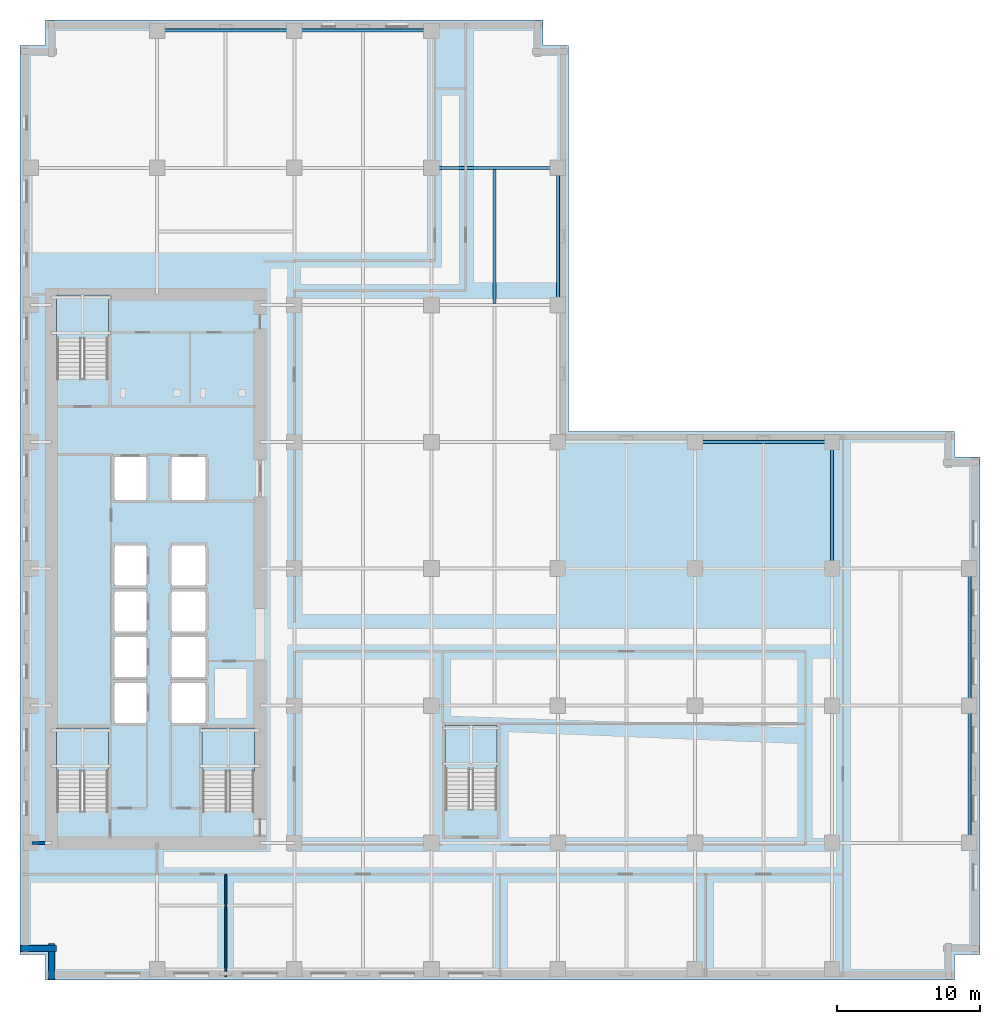
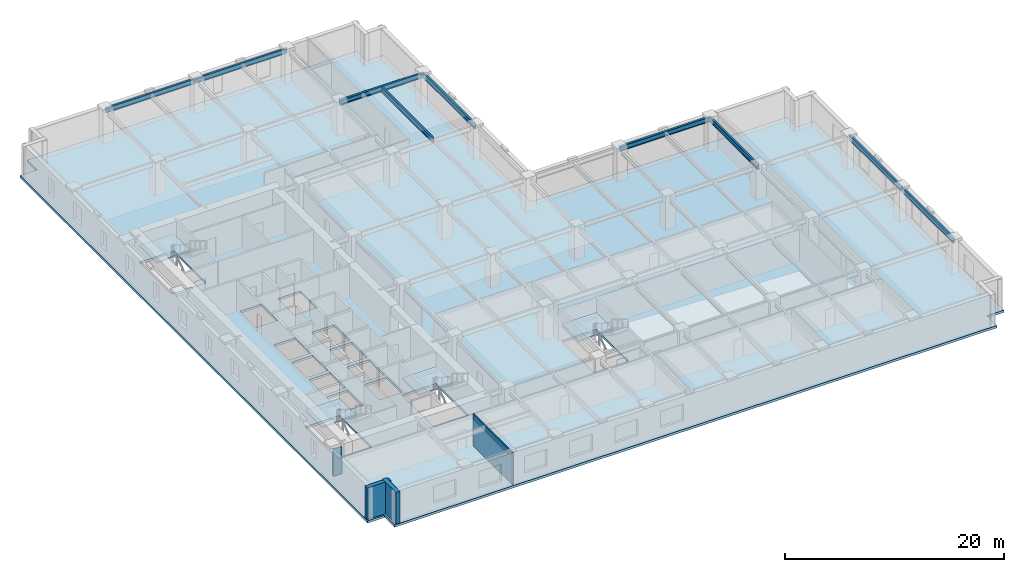
# One storey, part 3 of 13: 9 beams, 5 slabs, 4 walls, 4 elements without a shape of their own.
"""IFC4 building model written with IfcOpenShell, lengths in metres."""

from ifc_helpers import new_model, si_unit, direction, frame, frame_2d, origin, origin_2d, place, context, subcontext, project, spatial, polyline, rectangle, i_section, outline, extrude, material, layer, layer_set, material_profile, profile_set, type_object, element, aggregate, save


model = new_model("IFC4")

# Units and contexts
model_context = context("Model", 3, precision=1e-05, world=origin(), true_north=direction((0.0, 1.0)))
body_context = subcontext(model_context, "Body", "Model", "MODEL_VIEW")
ifc_project = project(units=[si_unit("LENGTHUNIT", "METRE"), si_unit("AREAUNIT", "SQUARE_METRE"), si_unit("VOLUMEUNIT", "CUBIC_METRE"), si_unit("PLANEANGLEUNIT", "RADIAN"), si_unit("MASSUNIT", "GRAM", prefix="KILO")], contexts=[model_context])

# Site, building, storey
site_placement = place(None, origin())
site = spatial("IfcSite", under=ifc_project, at=site_placement, CompositionType="ELEMENT")
building_placement = place(site_placement, origin())
building = spatial("IfcBuilding", under=site, at=building_placement, Name="Norrvale University Quadrangle", CompositionType="ELEMENT")
storey_placement = place(building_placement, frame((0.0, 0.0, 77.39990234375)))
storey = spatial("IfcBuildingStorey", under=building, at=storey_placement, Name="L19", CompositionType="ELEMENT", Elevation=77.39990234375)

# Beams
ifc_material_1 = material(Name="Steel 350W", Category="steel")
ifc_material_profile_1 = material_profile(ifc_material_1, i_section(OverallWidth=0.2119140625, OverallDepth=0.5439453125, WebThickness=0.01318359375, FlangeThickness=0.021240234375, FilletRadius=0.013916015625, at=origin_2d()), Name="Steel 350W")
ifc_profile_set_1 = profile_set([ifc_material_profile_1], Name="Steel 350W")
beam_type_1 = type_object("IfcBeamType", Name="Beam Floor W530x123", PredefinedType="BEAM", material=ifc_profile_set_1)
beam_1_placement = place(storey_placement, frame((47.25, 37.64990234375, 3.26806640625), z_axis=(1.0, 0.0, 0.0), x_axis=(0.0, 1.0, 0.0)))
element("IfcBeam", 1, at=beam_1_placement, inside=storey, type_object=beam_type_1, Name="Beam Floor W530x123 BM-L19-GX024", PredefinedType="BEAM", context=body_context, shape_type="SweptSolid", body=[
    extrude(i_section(OverallWidth=0.2119140625, OverallDepth=0.5439453125, WebThickness=0.01318359375, FlangeThickness=0.021240234375, FilletRadius=0.013916015625, at=origin_2d()), origin(), (0.0, 0.0, 1.0), 9.60009765625),
])
beam_2_placement = place(storey_placement, frame((28.800048828125, 56.85009765625, 3.26806640625), z_axis=(1.0, 0.0, 0.0), x_axis=(0.0, 1.0, 0.0)))
element("IfcBeam", 2, at=beam_2_placement, inside=storey, type_object=beam_type_1, Name="Beam Floor W530x123 BM-L19-GX030", PredefinedType="BEAM", context=body_context, shape_type="SweptSolid", body=[
    extrude(i_section(OverallWidth=0.2119140625, OverallDepth=0.5439453125, WebThickness=0.01318359375, FlangeThickness=0.021240234375, FilletRadius=0.013916015625, at=origin_2d()), origin(), (0.0, 0.0, 1.0), 8.849853515625),
])
beam_3_placement = place(storey_placement, frame((9.60009765625, 66.449951171875, 3.26806640625), z_axis=(1.0, 0.0, 0.0), x_axis=(0.0, 1.0, 0.0)))
element("IfcBeam", 3, at=beam_3_placement, inside=storey, type_object=beam_type_1, Name="Beam Floor W530x123 BM-L19-GX031", PredefinedType="BEAM", context=body_context, shape_type="SweptSolid", body=[
    extrude(i_section(OverallWidth=0.2119140625, OverallDepth=0.5439453125, WebThickness=0.01318359375, FlangeThickness=0.021240234375, FilletRadius=0.013916015625, at=origin_2d()), origin(), (0.0, 0.0, 1.0), 9.599853515625),
])
for number, where, z_axis, x_axis, name in (
    (4, (19.199951171875, 66.449951171875, 3.26806640625), (1.0, 0.0, 0.0), (0.0, 1.0, 0.0), "Beam Floor W530x123 BM-L19-GX032"),
    (5, (37.64990234375, 47.25, 3.26806640625), (0.0, 1.0, 0.0), (-1.0, 0.0, 0.0), "Beam Floor W530x123 BM-L19-GY058"),
):
    element("IfcBeam", number, at=place(storey_placement, frame(where, z_axis=z_axis, x_axis=x_axis)), inside=storey, type_object=beam_type_1, Name=name, PredefinedType="BEAM", context=body_context, shape_type="SweptSolid", body=[
        extrude(i_section(OverallWidth=0.2119140625, OverallDepth=0.5439453125, WebThickness=0.01318359375, FlangeThickness=0.021240234375, FilletRadius=0.013916015625, at=origin_2d()), origin(), (0.0, 0.0, 1.0), 9.60009765625),
    ])
beam_4_placement = place(storey_placement, frame((56.85009765625, 28.800048828125, 3.26806640625), z_axis=(0.0, 1.0, 0.0), x_axis=(-1.0, 0.0, 0.0)))
element("IfcBeam", 6, at=beam_4_placement, inside=storey, type_object=beam_type_1, Name="Beam Floor W530x123 BM-L19-GY066", PredefinedType="BEAM", context=body_context, shape_type="SweptSolid", body=[
    extrude(i_section(OverallWidth=0.2119140625, OverallDepth=0.5439453125, WebThickness=0.01318359375, FlangeThickness=0.021240234375, FilletRadius=0.013916015625, at=origin_2d()), origin(), (0.0, 0.0, 1.0), 8.849853515625),
])
beam_5_placement = place(storey_placement, frame((66.449951171875, 9.60009765625, 3.26806640625), z_axis=(0.0, 1.0, 0.0), x_axis=(-1.0, 0.0, 0.0)))
element("IfcBeam", 7, at=beam_5_placement, inside=storey, type_object=beam_type_1, Name="Beam Floor W530x123 BM-L19-GY067", PredefinedType="BEAM", context=body_context, shape_type="SweptSolid", body=[
    extrude(i_section(OverallWidth=0.2119140625, OverallDepth=0.5439453125, WebThickness=0.01318359375, FlangeThickness=0.021240234375, FilletRadius=0.013916015625, at=origin_2d()), origin(), (0.0, 0.0, 1.0), 9.599853515625),
])
beam_6_placement = place(storey_placement, frame((66.449951171875, 19.199951171875, 3.26806640625), z_axis=(0.0, 1.0, 0.0), x_axis=(-1.0, 0.0, 0.0)))
element("IfcBeam", 8, at=beam_6_placement, inside=storey, type_object=beam_type_1, Name="Beam Floor W530x123 BM-L19-GY068", PredefinedType="BEAM", context=body_context, shape_type="SweptSolid", body=[
    extrude(i_section(OverallWidth=0.2119140625, OverallDepth=0.5439453125, WebThickness=0.01318359375, FlangeThickness=0.021240234375, FilletRadius=0.013916015625, at=origin_2d()), origin(), (0.0, 0.0, 1.0), 9.60009765625),
])
ifc_material_profile_2 = material_profile(ifc_material_1, i_section(OverallWidth=0.208984375, OverallDepth=0.532958984375, WebThickness=0.01025390625, FlangeThickness=0.015625, FilletRadius=0.013916015625, at=origin_2d()), Name="Steel 350W")
ifc_profile_set_2 = profile_set([ifc_material_profile_2], Name="Steel 350W")
beam_type_2 = type_object("IfcBeamType", Name="Beam Floor W530x92", PredefinedType="JOIST", material=ifc_profile_set_2)
beam_7_placement = place(storey_placement, frame((33.22509765625, 47.35595703125, 3.273681640625), z_axis=(0.0, 1.0, 0.0), x_axis=(-1.0, 0.0, 0.0)))
element("IfcBeam", 9, at=beam_7_placement, inside=storey, type_object=beam_type_2, Name="Beam Floor W530x92 BM-L19-J091", PredefinedType="JOIST", context=body_context, shape_type="SweptSolid", body=[
    extrude(i_section(OverallWidth=0.208984375, OverallDepth=0.532958984375, WebThickness=0.01025390625, FlangeThickness=0.015625, FilletRadius=0.013916015625, at=origin_2d()), origin(), (0.0, 0.0, 1.0), 9.387939453125),
])

# Stair, slab
ifc_material_2 = material(Name="Concrete C40/50", Category="concrete")
stair_type = type_object("IfcStairType", Name="Stair Tower Typ 3800", PredefinedType="TWO_STRAIGHT_RUN_STAIR", material=ifc_material_2)
stair_1_placement = place(storey_placement, origin())
stair_1 = element("IfcStair", 10, at=stair_1_placement, inside=storey, type_object=stair_type, Name="Exit Stair ST-01 L19", PredefinedType="TWO_STRAIGHT_RUN_STAIR")
ifc_layer_1 = layer(ifc_material_2, 0.199951171875, Name="Concrete C40/50")
ifc_layer_set_1 = layer_set([ifc_layer_1], Name="Concrete C40/50")
slab_type_1 = type_object("IfcSlabType", Name="Slab Landing 200", PredefinedType="LANDING", material=ifc_layer_set_1)
slab_1_placement = place(storey_placement, frame((0.0, 0.0, 1.7001953125)))
slab_1 = element("IfcSlab", 11, at=slab_1_placement, type_object=slab_type_1, Name="Exit Stair ST-01 L19 Mid Landing", PredefinedType="LANDING", context=body_context, shape_type="SweptSolid", body=[
    extrude(outline(polyline([(2.550048828125, 14.590087890625), (6.199951171875, 14.590087890625), (6.199951171875, 17.64990234375), (2.550048828125, 17.64990234375), (2.550048828125, 14.590087890625)])), origin(), (0.0, 0.0, 1.0), 0.199951171875),
])
aggregate(stair_1, [slab_1])

stair_2_placement = place(storey_placement, origin())
stair_2 = element("IfcStair", 12, at=stair_2_placement, inside=storey, type_object=stair_type, Name="Exit Stair ST-02 L19", PredefinedType="TWO_STRAIGHT_RUN_STAIR")
slab_2_placement = place(storey_placement, frame((0.0, 0.0, 1.7001953125)))
slab_2 = element("IfcSlab", 13, at=slab_2_placement, type_object=slab_type_1, Name="Exit Stair ST-02 L19 Mid Landing", PredefinedType="LANDING", context=body_context, shape_type="SweptSolid", body=[
    extrude(outline(polyline([(2.550048828125, 44.889892578125), (6.199951171875, 44.889892578125), (6.199951171875, 47.949951171875), (2.550048828125, 47.949951171875), (2.550048828125, 44.889892578125)])), origin(), (0.0, 0.0, 1.0), 0.199951171875),
])
aggregate(stair_2, [slab_2])

stair_3_placement = place(storey_placement, origin())
stair_3 = element("IfcStair", 14, at=stair_3_placement, inside=storey, type_object=stair_type, Name="Exit Stair ST-03 L19", PredefinedType="TWO_STRAIGHT_RUN_STAIR")
slab_3_placement = place(storey_placement, frame((0.0, 0.0, 1.7001953125)))
slab_3 = element("IfcSlab", 15, at=slab_3_placement, type_object=slab_type_1, Name="Exit Stair ST-03 L19 Mid Landing", PredefinedType="LANDING", context=body_context, shape_type="SweptSolid", body=[
    extrude(outline(polyline([(12.75, 14.590087890625), (16.39990234375, 14.590087890625), (16.39990234375, 17.64990234375), (12.75, 17.64990234375), (12.75, 14.590087890625)])), origin(), (0.0, 0.0, 1.0), 0.199951171875),
])
aggregate(stair_3, [slab_3])

stair_4_placement = place(storey_placement, origin())
stair_4 = element("IfcStair", 16, at=stair_4_placement, inside=storey, type_object=stair_type, Name="Exit Stair ST-04 L19", PredefinedType="TWO_STRAIGHT_RUN_STAIR")
slab_4_placement = place(storey_placement, frame((0.0, 0.0, 1.7001953125)))
slab_4 = element("IfcSlab", 17, at=slab_4_placement, type_object=slab_type_1, Name="Exit Stair ST-04 L19 Mid Landing", PredefinedType="LANDING", context=body_context, shape_type="SweptSolid", body=[
    extrude(outline(polyline([(29.75, 14.739990234375), (33.39990234375, 14.739990234375), (33.39990234375, 17.800048828125), (29.75, 17.800048828125), (29.75, 14.739990234375)])), origin(), (0.0, 0.0, 1.0), 0.199951171875),
])
aggregate(stair_4, [slab_4])

# Slab
ifc_layer_2 = layer(ifc_material_2, 0.260009765625, Name="Concrete C40/50")
ifc_layer_set_2 = layer_set([ifc_layer_2], Name="Concrete C40/50")
slab_type_2 = type_object("IfcSlabType", Name="Slab Tower Typ 260", PredefinedType="FLOOR", material=ifc_layer_set_2)
slab_5_placement = place(storey_placement, frame((0.0, 0.0, -0.260009765625)))
element("IfcSlab", 18, at=slab_5_placement, inside=storey, type_object=slab_type_2, Name="Tower L19 Floor Slab", PredefinedType="FLOOR", context=body_context, shape_type="SweptSolid", body=[
    extrude(outline(polyline([(1.800048828125, 0.0), (65.39990234375, 0.0), (65.39990234375, 1.800048828125), (67.199951171875, 1.800048828125), (67.199951171875, 36.60009765625), (65.39990234375, 36.60009765625), (65.39990234375, 38.39990234375), (38.39990234375, 38.39990234375), (38.39990234375, 65.39990234375), (36.60009765625, 65.39990234375), (36.60009765625, 67.199951171875), (1.800048828125, 67.199951171875), (1.800048828125, 65.39990234375), (0.0, 65.39990234375), (0.0, 1.800048828125), (1.800048828125, 1.800048828125), (1.800048828125, 0.0)]), holes=[polyline([(2.550048828125, 11.81005859375), (6.199951171875, 11.81005859375), (6.199951171875, 17.64990234375), (2.550048828125, 17.64990234375), (2.550048828125, 11.81005859375)]), polyline([(2.550048828125, 42.110107421875), (6.199951171875, 42.110107421875), (6.199951171875, 47.949951171875), (2.550048828125, 47.949951171875), (2.550048828125, 42.110107421875)]), polyline([(12.75, 11.81005859375), (16.39990234375, 11.81005859375), (16.39990234375, 17.64990234375), (12.75, 17.64990234375), (12.75, 11.81005859375)]), polyline([(29.75, 11.9599609375), (33.39990234375, 11.9599609375), (33.39990234375, 17.800048828125), (29.75, 17.800048828125), (29.75, 11.9599609375)]), polyline([(6.60009765625, 18.0), (8.85009765625, 18.0), (8.85009765625, 20.800048828125), (6.60009765625, 20.800048828125), (6.60009765625, 18.0)]), polyline([(6.60009765625, 21.199951171875), (8.85009765625, 21.199951171875), (8.85009765625, 24.0), (6.60009765625, 24.0), (6.60009765625, 21.199951171875)]), polyline([(6.60009765625, 24.39990234375), (8.85009765625, 24.39990234375), (8.85009765625, 27.199951171875), (6.60009765625, 27.199951171875), (6.60009765625, 24.39990234375)]), polyline([(6.60009765625, 27.60009765625), (8.85009765625, 27.60009765625), (8.85009765625, 30.39990234375), (6.60009765625, 30.39990234375), (6.60009765625, 27.60009765625)]), polyline([(10.60009765625, 18.0), (13.0, 18.0), (13.0, 20.800048828125), (10.60009765625, 20.800048828125), (10.60009765625, 18.0)]), polyline([(10.60009765625, 21.199951171875), (13.0, 21.199951171875), (13.0, 24.0), (10.60009765625, 24.0), (10.60009765625, 21.199951171875)]), polyline([(10.60009765625, 24.39990234375), (13.0, 24.39990234375), (13.0, 27.199951171875), (10.60009765625, 27.199951171875), (10.60009765625, 24.39990234375)]), polyline([(10.60009765625, 27.60009765625), (13.0, 27.60009765625), (13.0, 30.39990234375), (10.60009765625, 30.39990234375), (10.60009765625, 27.60009765625)]), polyline([(6.60009765625, 33.60009765625), (8.85009765625, 33.60009765625), (8.85009765625, 36.60009765625), (6.60009765625, 36.60009765625), (6.60009765625, 33.60009765625)]), polyline([(10.60009765625, 33.60009765625), (13.0, 33.60009765625), (13.0, 36.60009765625), (10.60009765625, 36.60009765625), (10.60009765625, 33.60009765625)])]), origin(), (0.0, 0.0, 1.0), 0.260009765625),
])

# Walls
ifc_material_3 = material(Name="Buff Norman Clay Brick Masonry", Category="masonry")
ifc_layer_3 = layer(ifc_material_3, 0.419921875, Name="Buff Norman Clay Brick Masonry")
ifc_layer_set_3 = layer_set([ifc_layer_3], Name="Buff Norman Clay Brick Masonry")
wall_type_1 = type_object("IfcWallType", Name="Wall Buff Brick 420", PredefinedType="SOLIDWALL", material=ifc_layer_set_3)
for number, where, z_axis, x_axis, name in (
    (19, (0.0400390625, 2.18994140625, 0.0), (0.0, 0.0, 1.0), (1.0, 0.0, 0.0), "Exterior Brick Facade Wall L19-15.1"),
    (20, (2.18994140625, 2.5400390625, 0.0), (0.0, 0.0, 1.0), (0.0, -1.0, 0.0), "Exterior Brick Facade Wall L19-16.1"),
):
    element("IfcWall", number, at=place(storey_placement, frame(where, z_axis=z_axis, x_axis=x_axis)), inside=storey, type_object=wall_type_1, Name=name, PredefinedType="SOLIDWALL", context=body_context, shape_type="SweptSolid", body=[
        extrude(rectangle(XDim=2.5, YDim=0.419921875, at=frame_2d((1.25, 0.0))), origin(), (0.0, 0.0, 1.0), 3.5400390625),
    ])
ifc_material_4 = material(Name="Standard Academic Gypsum Partition")
ifc_layer_4 = layer(ifc_material_4, 0.125, Name="Standard Academic Gypsum Partition")
ifc_layer_set_4 = layer_set([ifc_layer_4], Name="Standard Academic Gypsum Partition")
wall_type_2 = type_object("IfcWallType", Name="Wall Gypsum Academic 125", PredefinedType="PARTITIONING", material=ifc_layer_set_4)
wall_1_placement = place(storey_placement, frame((14.39990234375, 0.219970703125, 0.0), z_axis=(0.0, 0.0, 1.0), x_axis=(0.0, 1.0, 0.0)))
element("IfcWall", 21, at=wall_1_placement, inside=storey, type_object=wall_type_2, Name="Interior Partition WL-L19-SP01", PredefinedType="PARTITIONING", context=body_context, shape_type="SweptSolid", body=[
    extrude(rectangle(XDim=7.179931640625, YDim=0.125, at=frame_2d((3.58984375, 0.0))), origin(), (0.0, 0.0, 1.0), 3.5400390625),
])
ifc_material_5 = material(Name="Concrete Blockwork 20 MPa Rated Wall", Category="masonry")
ifc_layer_5 = layer(ifc_material_5, 0.199951171875, Name="Concrete Blockwork 20 MPa Rated Wall")
ifc_layer_set_5 = layer_set([ifc_layer_5], Name="Concrete Blockwork 20 MPa Rated Wall")
wall_type_3 = type_object("IfcWallType", Name="Wall Lobby 200", PredefinedType="SOLIDWALL", material=ifc_layer_set_5)
wall_2_placement = place(storey_placement, frame((0.85009765625, 9.60009765625, 0.0), z_axis=(0.0, 0.0, 1.0), x_axis=(1.0, 0.0, 0.0)))
element("IfcWall", 22, at=wall_2_placement, inside=storey, type_object=wall_type_3, Name="Interior Partition WL-L19-CWRET-S", PredefinedType="SOLIDWALL", context=body_context, shape_type="SweptSolid", body=[
    extrude(rectangle(XDim=0.89501953125, YDim=0.199951171875, at=frame_2d((0.447509765625, 0.0))), origin(), (0.0, 0.0, 1.0), 2.99609375),
])

save(model, "model.ifc")
